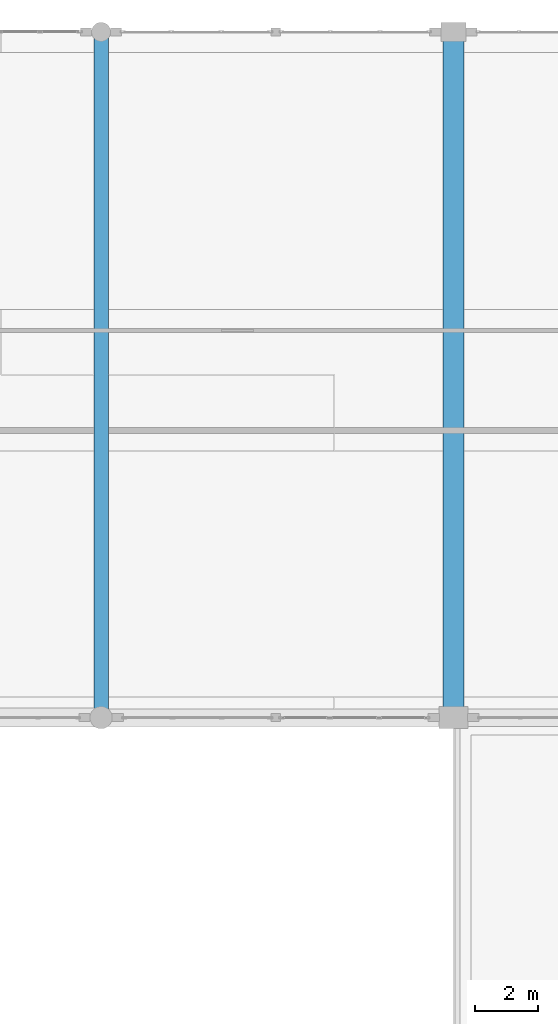
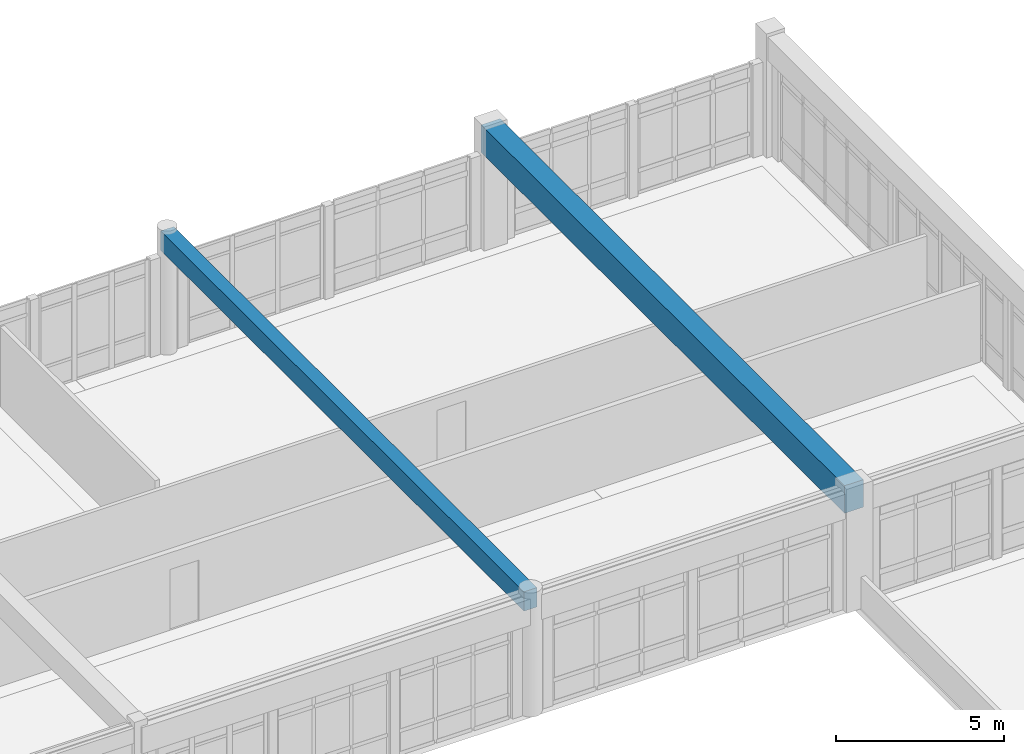
# One storey, part 53 of 109: 2 beams.
"""IFC4 building model written with IfcOpenShell, lengths in metres."""

import ifcopenshell
import ifcopenshell.guid

model = None  # the IFC model being written
_history = None  # IfcOwnerHistory: only IFC2X3 demands one
_inside = {}  # id of a spatial element -> (the spatial element, [elements in it])
_under = {}  # id of a project, library or spatial element -> (it, [spatial elements below it])
_declared = {}  # id of a project -> (the project, [libraries it declares])
_typed = {}  # id of a type object -> (the type object, [elements of that type])
_made_of = {}  # id of a material, layer set ... -> (it, [elements and type objects made of it])


def new_model(schema):
    """Start an empty IFC model of exactly this schema.

    Asked for "IFC4X3", IfcOpenShell would pick the latest addendum, in which some entities
    have other attributes; the version numbers below select the first issue.
    IFC2X3 requires an IfcOwnerHistory on every rooted entity: one is made here for all.
    """
    global model, _history
    if schema == "IFC4X3":
        model = ifcopenshell.file(schema_version=(4, 3, 0, 0))
    else:
        model = ifcopenshell.file(schema=schema)
    _inside.clear()
    _under.clear()
    _declared.clear()
    _typed.clear()
    _made_of.clear()
    _history = None
    if model.schema == "IFC2X3":
        org = make("IfcOrganization", Name="unknown")
        user = make(
            "IfcPersonAndOrganization",
            ThePerson=make("IfcPerson", FamilyName="unknown"),
            TheOrganization=org,
        )
        app = make(
            "IfcApplication",
            ApplicationDeveloper=org,
            Version="unknown",
            ApplicationFullName="unknown",
            ApplicationIdentifier="unknown",
        )
        _history = make(
            "IfcOwnerHistory",
            OwningUser=user,
            OwningApplication=app,
            ChangeAction="ADDED",
            CreationDate=0,
        )
    return model


def make(cls, **values):
    """One entity of the class cls with the attributes given. An attribute that is None is left unset."""
    return model.create_entity(
        cls, **{name: value for name, value in values.items() if value is not None}
    )


def rooted(cls, **values):
    """An entity with a GlobalId (a new one), such as an element, a storey or a relation."""
    return make(cls, GlobalId=ifcopenshell.guid.new(), OwnerHistory=_history, **values)


def si_unit(unit_type, name, prefix=None):
    """IfcSIUnit, for example si_unit("LENGTHUNIT", "METRE", prefix="MILLI")."""
    return make("IfcSIUnit", UnitType=unit_type, Prefix=prefix, Name=name)


def assignment(units):
    """IfcUnitAssignment: the units of a project."""
    return None if units is None else make("IfcUnitAssignment", Units=units)


def point(xyz):
    """IfcCartesianPoint."""
    return None if xyz is None else make("IfcCartesianPoint", Coordinates=xyz)


def direction(xyz):
    """IfcDirection."""
    return None if xyz is None else make("IfcDirection", DirectionRatios=xyz)


def frame(location, z_axis=None, x_axis=None):
    """IfcAxis2Placement3D, a coordinate frame: its origin and axes. An axis left out is left unset."""
    return make(
        "IfcAxis2Placement3D",
        Location=point(location),
        Axis=direction(z_axis),
        RefDirection=direction(x_axis),
    )


def frame_2d(location, x_axis=None):
    """IfcAxis2Placement2D, a coordinate frame in the plane: its origin and x axis."""
    return make(
        "IfcAxis2Placement2D", Location=point(location), RefDirection=direction(x_axis)
    )


def origin():
    """The frame at (0, 0, 0) with its axes left unset."""
    return frame((0.0, 0.0, 0.0))


def origin_2d():
    """The frame at (0, 0) in the plane with its x axis left unset."""
    return frame_2d((0.0, 0.0))


def place(relative_to, where):
    """IfcLocalPlacement: puts the frame where relative to a parent placement (None: the world)."""
    return make(
        "IfcLocalPlacement", PlacementRelTo=relative_to, RelativePlacement=where
    )


def context(
    kind, dimensions, precision=None, world=None, true_north=None, identifier=None
):
    """IfcGeometricRepresentationContext, for example the 3D "Model" context."""
    return make(
        "IfcGeometricRepresentationContext",
        ContextIdentifier=identifier,
        ContextType=kind,
        CoordinateSpaceDimension=dimensions,
        Precision=precision,
        WorldCoordinateSystem=world,
        TrueNorth=true_north,
    )


def subcontext(parent, identifier, kind, view, scale=None):
    """IfcGeometricRepresentationSubContext, for example "Body" below "Model"."""
    return make(
        "IfcGeometricRepresentationSubContext",
        ContextIdentifier=identifier,
        ContextType=kind,
        ParentContext=parent,
        TargetScale=scale,
        TargetView=view,
    )


def project(units=None, contexts=None):
    """IfcProject with its units and contexts."""
    return rooted(
        "IfcProject",
        Name="project",
        RepresentationContexts=contexts,
        UnitsInContext=assignment(units),
    )


def spatial(cls, under=None, at=None, **own):
    """A site, building, storey or space (cls), placed at a placement, below another one or the project."""
    s = rooted(cls, ObjectPlacement=at, **own)
    if under is not None:
        _under.setdefault(under.id(), (under, []))[1].append(s)
    return s


def profile(cls, at=None, kind="AREA", **sizes):
    """A parametric profile (cls). Its sizes go by their IFC names, for example OverallWidth=200.0."""
    return make(cls, ProfileType=kind, Position=at, **sizes)


def rectangle(**sizes):
    """IfcRectangleProfileDef."""
    return profile("IfcRectangleProfileDef", **sizes)


def extrude(swept, where, along, depth):
    """IfcExtrudedAreaSolid: the profile swept, set in the frame where, extruded along a direction by depth."""
    return make(
        "IfcExtrudedAreaSolid",
        SweptArea=swept,
        Position=where,
        ExtrudedDirection=direction(along),
        Depth=depth,
    )


def shape(context_of_items, identifier, shape_type, items):
    """IfcShapeRepresentation: the items that make up one representation, for example the "Body"."""
    return make(
        "IfcShapeRepresentation",
        ContextOfItems=context_of_items,
        RepresentationIdentifier=identifier,
        RepresentationType=shape_type,
        Items=items,
    )


def material(Name=None, Category=None):
    """IfcMaterial."""
    return make("IfcMaterial", Name=Name, Category=Category)


def material_profile(
    of_material, cross_section, Name=None, Category=None, Priority=None
):
    """IfcMaterialProfile: a cross section and its material."""
    return make(
        "IfcMaterialProfile",
        Name=Name,
        Material=of_material,
        Profile=cross_section,
        Priority=Priority,
        Category=Category,
    )


def profile_set(profiles, Name=None, composite=None):
    """IfcMaterialProfileSet."""
    return make(
        "IfcMaterialProfileSet",
        Name=Name,
        MaterialProfiles=profiles,
        CompositeProfile=composite,
    )


def made_of(thing, what):
    """Note that an element or type object is made of a material, layer set ...; save() writes the relation."""
    if what is not None:
        _made_of.setdefault(what.id(), (what, []))[1].append(thing)
    return thing


def type_object(cls, material=None, **own):
    """A type object (cls), such as IfcWallType, which elements share."""
    return made_of(rooted(cls, **own), material)


def element(
    cls,
    number,
    at=None,
    inside=None,
    cuts=None,
    type_object=None,
    material=None,
    context=None,
    identifier="Body",
    shape_type=None,
    held_by="IfcProductDefinitionShape",
    body=None,
    shapes=None,
    **own,
):
    """One element of the class cls, such as IfcWall. Its Tag is "e" and its number.

    at: its placement. inside: the storey or other place that contains it. cuts: it is an
    opening in that element (IfcRelVoidsElement). A single representation is given by context,
    identifier, shape_type and body (its items); several are given by shapes. held_by: the class
    of the entity that holds the representations. save() writes the other relations.
    """
    e = rooted(cls, Tag="e%d" % number, ObjectPlacement=at, **own)
    if body is not None:
        shapes = [shape(context, identifier, shape_type, body)]
    if shapes is not None:
        e.Representation = make(held_by, Representations=shapes)
    if inside is not None:
        _inside.setdefault(inside.id(), (inside, []))[1].append(e)
    if cuts is not None:
        rooted(
            "IfcRelVoidsElement", RelatingBuildingElement=cuts, RelatedOpeningElement=e
        )
    if type_object is not None:
        _typed.setdefault(type_object.id(), (type_object, []))[1].append(e)
    return made_of(e, material)


def aggregate(whole, parts):
    """IfcRelAggregates: a whole, such as a stair, and the parts it consists of."""
    return rooted("IfcRelAggregates", RelatingObject=whole, RelatedObjects=parts)


def save(model, path):
    """Write the relations noted so far, then the file.

    IfcRelAggregates (storeys below a building ...), IfcRelContainedInSpatialStructure (elements
    in a storey), IfcRelDefinesByType, IfcRelAssociatesMaterial and IfcRelDeclares: one each for
    every whole, place, type object, material and project.
    """
    for whole, parts in _under.values():
        aggregate(whole, parts)
    for where, things in _inside.values():
        rooted(
            "IfcRelContainedInSpatialStructure",
            RelatedElements=things,
            RelatingStructure=where,
        )
    for kind, things in _typed.values():
        rooted("IfcRelDefinesByType", RelatedObjects=things, RelatingType=kind)
    for what, things in _made_of.values():
        rooted("IfcRelAssociatesMaterial", RelatedObjects=things, RelatingMaterial=what)
    for by, libraries in _declared.values():
        rooted("IfcRelDeclares", RelatingContext=by, RelatedDefinitions=libraries)
    model.write(path)


model = new_model("IFC4")

# Units and contexts
model_context = context("Model", 3, precision=1e-05, world=origin(), true_north=direction((0.0, 1.0)))
body_context = subcontext(model_context, "Body", "Model", "MODEL_VIEW")
ifc_project = project(units=[si_unit("LENGTHUNIT", "METRE"), si_unit("AREAUNIT", "SQUARE_METRE"), si_unit("VOLUMEUNIT", "CUBIC_METRE"), si_unit("PLANEANGLEUNIT", "RADIAN"), si_unit("MASSUNIT", "GRAM", prefix="KILO")], contexts=[model_context])

# Site, building, storey
site_placement = place(None, origin())
site = spatial("IfcSite", under=ifc_project, at=site_placement, CompositionType="ELEMENT")
building_placement = place(site_placement, origin())
building = spatial("IfcBuilding", under=site, at=building_placement, Name="Fikremerkos Civic Library", CompositionType="ELEMENT")
storey_placement = place(building_placement, frame((0.0, 0.0, 5.39990234375)))
storey = spatial("IfcBuildingStorey", under=building, at=storey_placement, Name="L01", CompositionType="ELEMENT", Elevation=5.39990234375)

# Beams
ifc_material_1 = material(Name="Concrete C40/50", Category="concrete")
ifc_material_profile_1 = material_profile(ifc_material_1, rectangle(XDim=0.449951171875, YDim=0.699951171875, at=origin_2d()), Name="RC 450x700")
ifc_profile_set_1 = profile_set([ifc_material_profile_1], Name="Concrete C40/50")
beam_type_1 = type_object("IfcBeamType", Name="Primary girder BM-06 RC 450x700", PredefinedType="BEAM", material=ifc_profile_set_1)
beam_1_placement = place(storey_placement, frame((113.699951171875, 96.0, 4.02734375), z_axis=(0.0, 1.0, 0.0), x_axis=(-1.0, 0.0, 0.0)))
element("IfcBeam", 1, at=beam_1_placement, inside=storey, type_object=beam_type_1, Name="Primary girder BM-06 L01 grid 10", PredefinedType="BEAM", context=body_context, shape_type="SweptSolid", body=[
    extrude(rectangle(XDim=0.449951171875, YDim=0.699951171875, at=origin_2d()), origin(), (0.0, 0.0, 1.0), 21.60009765625),
])
ifc_material_2 = material(Name="Concrete C45/55", Category="concrete")
ifc_material_profile_2 = material_profile(ifc_material_2, rectangle(XDim=0.64990234375, YDim=1.0, at=origin_2d()), Name="RC 650x1000")
ifc_profile_set_2 = profile_set([ifc_material_profile_2], Name="Concrete C45/55")
beam_type_2 = type_object("IfcBeamType", Name="Primary girder BM-25 RC 650x1000", PredefinedType="BEAM", material=ifc_profile_set_2)
beam_2_placement = place(storey_placement, frame((124.800048828125, 96.0, 3.877197265625), z_axis=(0.0, 1.0, 0.0), x_axis=(-1.0, 0.0, 0.0)))
element("IfcBeam", 2, at=beam_2_placement, inside=storey, type_object=beam_type_2, Name="Primary girder BM-25 L01 grid 11", PredefinedType="BEAM", context=body_context, shape_type="SweptSolid", body=[
    extrude(rectangle(XDim=0.64990234375, YDim=1.0, at=origin_2d()), origin(), (0.0, 0.0, 1.0), 21.60009765625),
])

save(model, "model.ifc")
